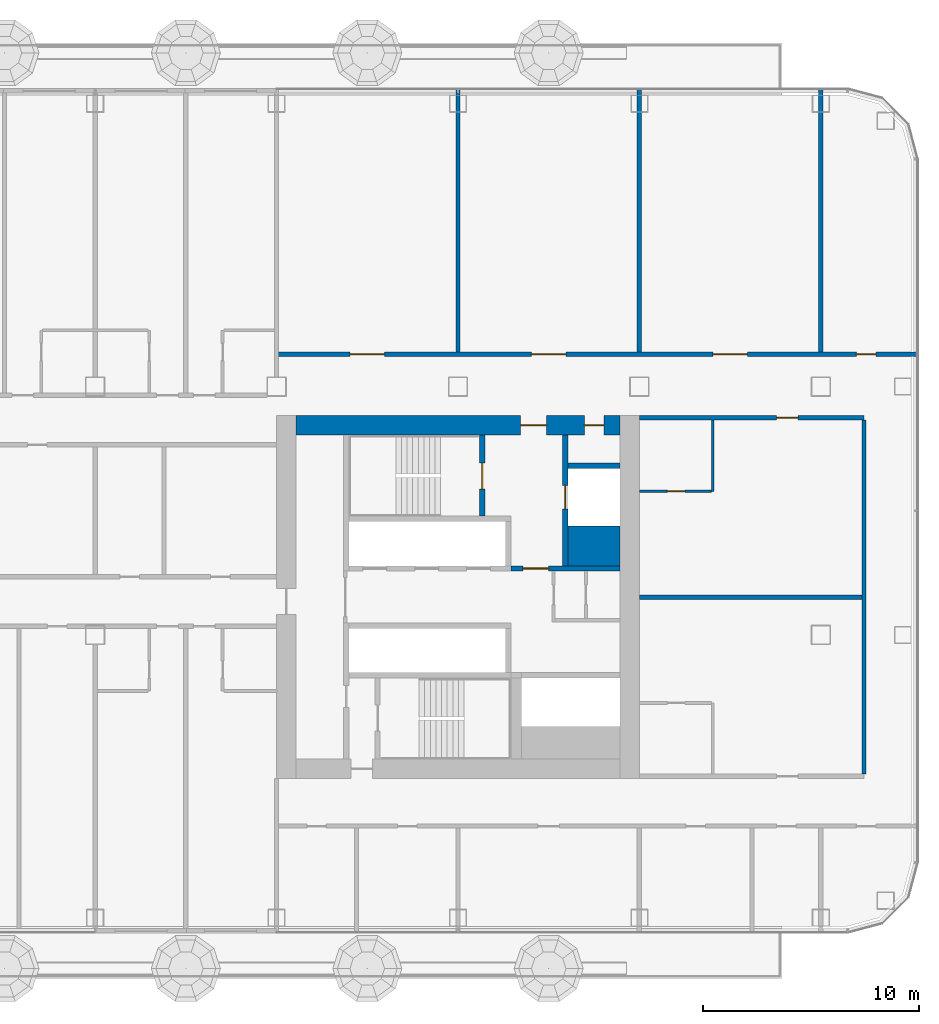
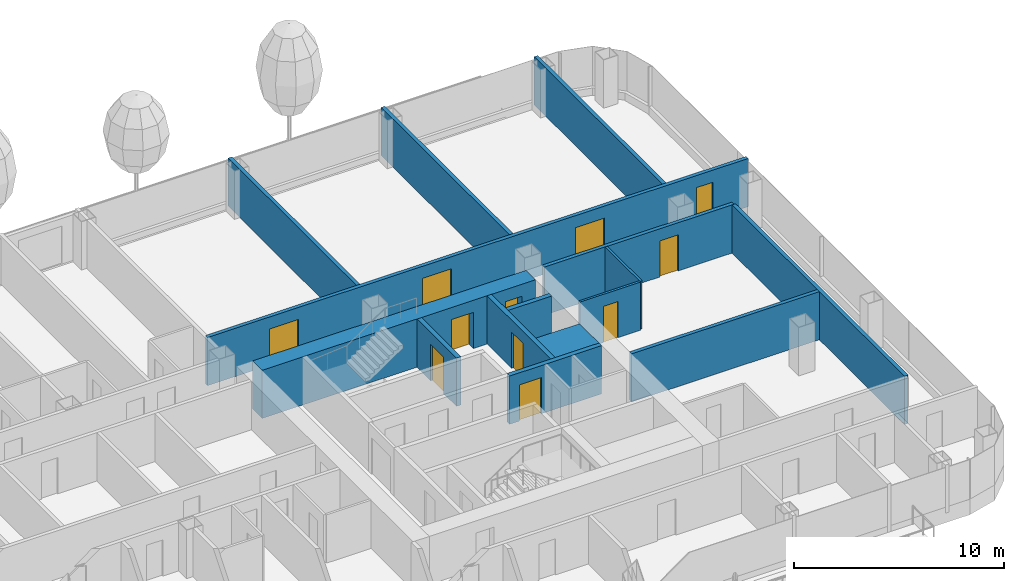
# One storey, part 19 of 34: 15 walls, 11 doors, 11 openings.
"""IFC4 building model written with IfcOpenShell, lengths in metres."""

from ifc_helpers import new_model, si_unit, direction, frame, frame_2d, origin, place, context, subcontext, project, spatial, rectangle, extrude, material, layer, layer_set, type_object, element, fill, save


model = new_model("IFC4")

# Units and contexts
model_context = context("Model", 3, precision=1e-05, world=origin(), true_north=direction((0.0, 1.0)))
body_context = subcontext(model_context, "Body", "Model", "MODEL_VIEW")
ifc_project = project(units=[si_unit("LENGTHUNIT", "METRE"), si_unit("AREAUNIT", "SQUARE_METRE"), si_unit("VOLUMEUNIT", "CUBIC_METRE"), si_unit("PLANEANGLEUNIT", "RADIAN"), si_unit("MASSUNIT", "GRAM", prefix="KILO")], contexts=[model_context])

# Site, building, storey
site_placement = place(None, origin())
site = spatial("IfcSite", under=ifc_project, at=site_placement, CompositionType="ELEMENT")
building_placement = place(site_placement, origin())
building = spatial("IfcBuilding", under=site, at=building_placement, Name="Hakoniwa Tower and Hamabe Station Hall", CompositionType="ELEMENT")
storey_placement = place(building_placement, frame((0.0, 0.0, 94.60009765625)))
storey = spatial("IfcBuildingStorey", under=building, at=storey_placement, Name="L26", CompositionType="ELEMENT", Elevation=94.60009765625)

# Wall, opening, door
ifc_material_1 = material(Name="Gypsum board partition", Category="gypsum")
ifc_layer_1 = layer(ifc_material_1, 0.125)
ifc_layer_set_1 = layer_set([ifc_layer_1], Name="Bathroom Partition 125")
wall_type_1 = type_object("IfcWallType", Name="Bathroom Partition 125", PredefinedType="PARTITIONING", material=ifc_layer_set_1)
wall_1_placement = place(storey_placement, frame((33.60009765625, 4.89990234375, 0.0), z_axis=(0.0, 0.0, 1.0), x_axis=(1.0, 0.0, 0.0)))
wall_1 = element("IfcWall", 1, at=wall_1_placement, inside=storey, type_object=wall_type_1, Name="GW-L26-016", PredefinedType="PARTITIONING", context=body_context, shape_type="SweptSolid", body=[
    extrude(rectangle(XDim=3.33740234375, YDim=0.125, at=frame_2d((1.668701171875, 0.0))), origin(), (0.0, 0.0, 1.0), 2.7998046875),
])
opening_1_placement = place(wall_1_placement, frame((1.300048828125, 0.0, 0.0)))
opening_1 = element("IfcOpeningElement", 2, at=opening_1_placement, cuts=wall_1, Name="Opening GD-G2B1-29", PredefinedType="OPENING", context=body_context, shape_type="SweptSolid", body=[
    extrude(rectangle(XDim=0.800048828125, YDim=2.10009765625, at=frame_2d((0.39990234375, 1.050048828125))), frame((0.0, 0.072509765625, 0.0), z_axis=(0.0, -1.0, 0.0), x_axis=(1.0, 0.0, 0.0)), (0.0, 0.0, 1.0), 0.14501953125),
])
ifc_material_2 = material(Name="Timber door leaf", Category="wood")
door_type_1 = type_object("IfcDoorType", Name="Bathroom Door 800", OperationType="SINGLE_SWING_LEFT", PredefinedType="DOOR", material=ifc_material_2)
door_1_placement = place(opening_1_placement, origin())
door_1 = element("IfcDoor", 3, at=door_1_placement, inside=storey, type_object=door_type_1, Name="Door GD-G2B1-29", OperationType="SINGLE_SWING_LEFT", OverallHeight=2.10009765625, OverallWidth=0.800048828125, PredefinedType="DOOR", context=body_context, shape_type="SweptSolid", body=[
    extrude(rectangle(XDim=0.800048828125, YDim=2.10009765625, at=frame_2d((0.39990234375, 1.050048828125))), frame((0.0, 0.02490234375, 0.0), z_axis=(0.0, -1.0, 0.0), x_axis=(1.0, 0.0, 0.0)), (0.0, 0.0, 1.0), 0.050048828125),
])
fill(opening_1, door_1)

# Wall
wall_2_placement = place(storey_placement, frame((37.0, 4.89990234375, 0.0), z_axis=(0.0, 0.0, 1.0), x_axis=(0.0, 1.0, 0.0)))
element("IfcWall", 4, at=wall_2_placement, inside=storey, type_object=wall_type_1, Name="GW-L26-091", PredefinedType="PARTITIONING", context=body_context, shape_type="SweptSolid", body=[
    extrude(rectangle(XDim=3.300048828125, YDim=0.125, at=frame_2d((1.64990234375, 0.0))), origin(), (0.0, 0.0, 1.0), 2.7998046875),
])

# Wall, openings, doors
ifc_material_3 = material(Name="Concrete C72", Category="concrete")
ifc_layer_2 = layer(ifc_material_3, 0.89990234375)
ifc_layer_set_2 = layer_set([ifc_layer_2], Name="CORE WALL 900 C72")
wall_type_2 = type_object("IfcWallType", Name="CORE WALL 900 C72", PredefinedType="SHEAR", material=ifc_layer_set_2)
wall_3_placement = place(storey_placement, frame((17.699951171875, 7.949951171875, 0.0), z_axis=(0.0, 0.0, 1.0), x_axis=(1.0, 0.0, 0.0)))
wall_3 = element("IfcWall", 5, at=wall_3_placement, inside=storey, type_object=wall_type_2, Name="Core wall NORTH east", PredefinedType="SHEAR", context=body_context, shape_type="SweptSolid", body=[
    extrude(rectangle(XDim=15.0, YDim=0.89990234375, at=frame_2d((7.5, 0.0))), origin(), (0.0, 0.0, 1.0), 2.7998046875),
])
opening_2_placement = place(wall_3_placement, frame((10.39990234375, 0.0, 0.0)))
opening_2 = element("IfcOpeningElement", 6, at=opening_2_placement, cuts=wall_3, Name="Opening CD-E-FN1-12", PredefinedType="OPENING", context=body_context, shape_type="SweptSolid", body=[
    extrude(rectangle(XDim=1.199951171875, YDim=2.10009765625, at=frame_2d((0.60009765625, 1.050048828125))), frame((0.0, 0.4599609375, 0.0), z_axis=(0.0, -1.0, 0.0), x_axis=(1.0, 0.0, 0.0)), (0.0, 0.0, 1.0), 0.919921875),
])
opening_3_placement = place(wall_3_placement, frame((13.35009765625, 0.0, 0.0)))
opening_3 = element("IfcOpeningElement", 7, at=opening_3_placement, cuts=wall_3, Name="Opening CD-E-FN2-9", PredefinedType="OPENING", context=body_context, shape_type="SweptSolid", body=[
    extrude(rectangle(XDim=0.89990234375, YDim=2.10009765625, at=frame_2d((0.449951171875, 1.050048828125))), frame((0.0, 0.4599609375, 0.0), z_axis=(0.0, -1.0, 0.0), x_axis=(1.0, 0.0, 0.0)), (0.0, 0.0, 1.0), 0.919921875),
])
ifc_material_4 = material(Name="Steel fire door", Category="steel")
door_type_2 = type_object("IfcDoorType", Name="CORE DOOR 1200 FD60", OperationType="DOUBLE_DOOR_SINGLE_SWING", PredefinedType="DOOR", material=ifc_material_4)
door_2_placement = place(opening_2_placement, origin())
door_2 = element("IfcDoor", 8, at=door_2_placement, inside=storey, type_object=door_type_2, Name="Stair vestibule door to the fire-fighting lobby", OperationType="DOUBLE_DOOR_SINGLE_SWING", OverallHeight=2.10009765625, OverallWidth=1.199951171875, PredefinedType="DOOR", context=body_context, shape_type="SweptSolid", body=[
    extrude(rectangle(XDim=1.199951171875, YDim=2.10009765625, at=frame_2d((0.60009765625, 1.050048828125))), frame((0.0, 0.02490234375, 0.0), z_axis=(0.0, -1.0, 0.0), x_axis=(1.0, 0.0, 0.0)), (0.0, 0.0, 1.0), 0.050048828125),
])
fill(opening_2, door_2)
ifc_material_5 = material(Name="Steel fire door", Category="steel")
door_type_3 = type_object("IfcDoorType", Name="CORE DOOR 900 FD30", OperationType="NOTDEFINED", PredefinedType="DOOR", material=ifc_material_5)
door_3_placement = place(opening_3_placement, origin())
door_3 = element("IfcDoor", 9, at=door_3_placement, inside=storey, type_object=door_type_3, Name="Riser access door", OperationType="SINGLE_SWING_LEFT", OverallHeight=2.10009765625, OverallWidth=0.89990234375, PredefinedType="DOOR", context=body_context, shape_type="SweptSolid", body=[
    extrude(rectangle(XDim=0.89990234375, YDim=2.10009765625, at=frame_2d((0.449951171875, 1.050048828125))), frame((0.0, 0.02490234375, 0.0), z_axis=(0.0, -1.0, 0.0), x_axis=(1.0, 0.0, 0.0)), (0.0, 0.0, 1.0), 0.050048828125),
])
fill(opening_3, door_3)

# Wall
ifc_material_6 = material(Name="Concrete C72", Category="concrete")
ifc_layer_3 = layer(ifc_material_6, 1.85009765625)
ifc_layer_set_3 = layer_set([ifc_layer_3], Name="CORE WEB WALL 1850 C72")
wall_type_3 = type_object("IfcWallType", Name="CORE WEB WALL 1850 C72", PredefinedType="SHEAR", material=ifc_layer_set_3)
wall_4_placement = place(storey_placement, frame((30.300048828125, 2.375, 0.0), z_axis=(0.0, 0.0, 1.0), x_axis=(1.0, 0.0, 0.0)))
element("IfcWall", 10, at=wall_4_placement, inside=storey, type_object=wall_type_3, Name="Core wall CA east", PredefinedType="SHEAR", context=body_context, shape_type="SweptSolid", body=[
    extrude(rectangle(XDim=2.39990234375, YDim=1.85009765625, at=frame_2d((1.199951171875, 0.0))), origin(), (0.0, 0.0, 1.0), 2.7998046875),
])

# Wall, opening, door
ifc_material_7 = material(Name="Concrete C72", Category="concrete")
ifc_layer_4 = layer(ifc_material_7, 0.25)
ifc_layer_set_4 = layer_set([ifc_layer_4], Name="CORE WEB WALL 250 C72")
wall_type_4 = type_object("IfcWallType", Name="CORE WEB WALL 250 C72", PredefinedType="SHEAR", material=ifc_layer_set_4)
wall_5_placement = place(storey_placement, frame((26.324951171875, 3.75, 0.0), z_axis=(0.0, 0.0, 1.0), x_axis=(0.0, 1.0, 0.0)))
wall_5 = element("IfcWall", 11, at=wall_5_placement, inside=storey, type_object=wall_type_4, Name="Core wall NSE east", PredefinedType="SHEAR", context=body_context, shape_type="SweptSolid", body=[
    extrude(rectangle(XDim=3.75, YDim=0.25, at=frame_2d((1.875, 0.0))), origin(), (0.0, 0.0, 1.0), 2.7998046875),
])
opening_4_placement = place(wall_5_placement, frame((1.25, 0.0, 0.0)))
opening_4 = element("IfcOpeningElement", 12, at=opening_4_placement, cuts=wall_5, Name="Opening CD-E-SN-12", PredefinedType="OPENING", context=body_context, shape_type="SweptSolid", body=[
    extrude(rectangle(XDim=1.199951171875, YDim=2.10009765625, at=frame_2d((0.60009765625, 1.050048828125))), frame((0.0, 0.135009765625, 0.0), z_axis=(0.0, -1.0, 0.0), x_axis=(1.0, 0.0, 0.0)), (0.0, 0.0, 1.0), 0.27001953125),
])
door_4_placement = place(opening_4_placement, origin())
door_4 = element("IfcDoor", 13, at=door_4_placement, inside=storey, type_object=door_type_2, Name="Escape stair door", OperationType="DOUBLE_DOOR_SINGLE_SWING", OverallHeight=2.10009765625, OverallWidth=1.199951171875, PredefinedType="DOOR", context=body_context, shape_type="SweptSolid", body=[
    extrude(rectangle(XDim=1.199951171875, YDim=2.10009765625, at=frame_2d((0.60009765625, 1.050048828125))), frame((0.0, 0.02490234375, 0.0), z_axis=(0.0, -1.0, 0.0), x_axis=(1.0, 0.0, 0.0)), (0.0, 0.0, 1.0), 0.050048828125),
])
fill(opening_4, door_4)

wall_6_placement = place(storey_placement, frame((27.64990234375, 1.324951171875, 0.0), z_axis=(0.0, 0.0, 1.0), x_axis=(1.0, 0.0, 0.0)))
wall_6 = element("IfcWall", 14, at=wall_6_placement, inside=storey, type_object=wall_type_4, Name="Core wall ELN east", PredefinedType="SHEAR", context=body_context, shape_type="SweptSolid", body=[
    extrude(rectangle(XDim=5.050048828125, YDim=0.25, at=frame_2d((2.52490234375, 0.0))), origin(), (0.0, 0.0, 1.0), 2.7998046875),
])
opening_5_placement = place(wall_6_placement, frame((0.550048828125, 0.0, 0.0)))
opening_5 = element("IfcOpeningElement", 15, at=opening_5_placement, cuts=wall_6, Name="Opening CD-E-FL-12", PredefinedType="OPENING", context=body_context, shape_type="SweptSolid", body=[
    extrude(rectangle(XDim=1.199951171875, YDim=2.10009765625, at=frame_2d((0.60009765625, 1.050048828125))), frame((0.0, 0.135009765625, 0.0), z_axis=(0.0, -1.0, 0.0), x_axis=(1.0, 0.0, 0.0)), (0.0, 0.0, 1.0), 0.27001953125),
])
door_5_placement = place(opening_5_placement, origin())
door_5 = element("IfcDoor", 16, at=door_5_placement, inside=storey, type_object=door_type_2, Name="Stair vestibule door to the fire-fighting lobby", OperationType="DOUBLE_DOOR_SINGLE_SWING", OverallHeight=2.10009765625, OverallWidth=1.199951171875, PredefinedType="DOOR", context=body_context, shape_type="SweptSolid", body=[
    extrude(rectangle(XDim=1.199951171875, YDim=2.10009765625, at=frame_2d((0.60009765625, 1.050048828125))), frame((0.0, 0.02490234375, 0.0), z_axis=(0.0, -1.0, 0.0), x_axis=(1.0, 0.0, 0.0)), (0.0, 0.0, 1.0), 0.050048828125),
])
fill(opening_5, door_5)

wall_7_placement = place(storey_placement, frame((30.175048828125, 1.449951171875, 0.0), z_axis=(0.0, 0.0, 1.0), x_axis=(0.0, 1.0, 0.0)))
wall_7 = element("IfcWall", 17, at=wall_7_placement, inside=storey, type_object=wall_type_4, Name="Core wall FFF east", PredefinedType="SHEAR", context=body_context, shape_type="SweptSolid", body=[
    extrude(rectangle(XDim=6.050048828125, YDim=0.25, at=frame_2d((3.02490234375, 0.0))), origin(), (0.0, 0.0, 1.0), 2.7998046875),
])
opening_6_placement = place(wall_7_placement, frame((2.625, 0.0, 0.0)))
opening_6 = element("IfcOpeningElement", 18, at=opening_6_placement, cuts=wall_7, Name="Opening LD-FF2", PredefinedType="OPENING", context=body_context, shape_type="SweptSolid", body=[
    extrude(rectangle(XDim=1.10009765625, YDim=2.10009765625, at=frame_2d((0.550048828125, 1.050048828125))), frame((0.0, 0.135009765625, 0.0), z_axis=(0.0, -1.0, 0.0), x_axis=(1.0, 0.0, 0.0)), (0.0, 0.0, 1.0), 0.27001953125),
])
ifc_material_8 = material(Name="Stainless steel SUS304", Category="steel")
door_type_4 = type_object("IfcDoorType", Name="LIFT LANDING DOOR 1100 FD60", OperationType="DOUBLE_DOOR_SLIDING", PredefinedType="DOOR", material=ifc_material_8)
door_6_placement = place(opening_6_placement, origin())
door_6 = element("IfcDoor", 19, at=door_6_placement, inside=storey, type_object=door_type_4, Name="Lift landing door FF2 L26", OperationType="DOUBLE_DOOR_SLIDING", OverallHeight=2.10009765625, OverallWidth=1.10009765625, PredefinedType="DOOR", context=body_context, shape_type="SweptSolid", body=[
    extrude(rectangle(XDim=1.10009765625, YDim=2.10009765625, at=frame_2d((0.550048828125, 1.050048828125))), frame((0.0, 0.02490234375, 0.0), z_axis=(0.0, -1.0, 0.0), x_axis=(1.0, 0.0, 0.0)), (0.0, 0.0, 1.0), 0.050048828125),
])
fill(opening_6, door_6)

# Wall
wall_8_placement = place(storey_placement, frame((30.300048828125, 6.074951171875, 0.0), z_axis=(0.0, 0.0, 1.0), x_axis=(1.0, 0.0, 0.0)))
element("IfcWall", 20, at=wall_8_placement, inside=storey, type_object=wall_type_4, Name="Core wall C2 east", PredefinedType="SHEAR", context=body_context, shape_type="SweptSolid", body=[
    extrude(rectangle(XDim=2.39990234375, YDim=0.25, at=frame_2d((1.199951171875, 0.0))), origin(), (0.0, 0.0, 1.0), 2.7998046875),
])

# Wall, opening, door
ifc_material_9 = material(Name="Fire-rated gypsum board partition", Category="gypsum")
ifc_layer_5 = layer(ifc_material_9, 0.199951171875)
ifc_layer_set_5 = layer_set([ifc_layer_5], Name="Corridor Wall 200")
wall_type_5 = type_object("IfcWallType", Name="Corridor Wall 200", PredefinedType="PARTITIONING", material=ifc_layer_set_5)
wall_9_placement = place(storey_placement, frame((33.60009765625, 8.300048828125, 0.0), z_axis=(0.0, 0.0, 1.0), x_axis=(1.0, 0.0, 0.0)))
wall_9 = element("IfcWall", 21, at=wall_9_placement, inside=storey, type_object=wall_type_5, Name="GW-L26-020", PredefinedType="PARTITIONING", context=body_context, shape_type="SweptSolid", body=[
    extrude(rectangle(XDim=10.39990234375, YDim=0.199951171875, at=frame_2d((5.199951171875, 0.0))), origin(), (0.0, 0.0, 1.0), 2.7998046875),
])
opening_7_placement = place(wall_9_placement, frame((6.35009765625, 0.0, 0.0)))
opening_7 = element("IfcOpeningElement", 22, at=opening_7_placement, cuts=wall_9, Name="Opening GD-G2B1-36", PredefinedType="OPENING", context=body_context, shape_type="SweptSolid", body=[
    extrude(rectangle(XDim=1.0, YDim=2.10009765625, at=frame_2d((0.5, 1.050048828125))), frame((0.0, 0.10986328125, 0.0), z_axis=(0.0, -1.0, 0.0), x_axis=(1.0, 0.0, 0.0)), (0.0, 0.0, 1.0), 0.219970703125),
])
ifc_material_10 = material(Name="Timber door leaf", Category="wood")
door_type_5 = type_object("IfcDoorType", Name="Guest Entrance Door 1000", OperationType="SINGLE_SWING_LEFT", PredefinedType="DOOR", material=ifc_material_10)
door_7_placement = place(opening_7_placement, origin())
door_7 = element("IfcDoor", 23, at=door_7_placement, inside=storey, type_object=door_type_5, Name="Door GD-G2B1-36", OperationType="SINGLE_SWING_RIGHT", OverallHeight=2.10009765625, OverallWidth=1.0, PredefinedType="DOOR", context=body_context, shape_type="SweptSolid", body=[
    extrude(rectangle(XDim=1.0, YDim=2.10009765625, at=frame_2d((0.5, 1.050048828125))), frame((0.0, 0.02490234375, 0.0), z_axis=(0.0, -1.0, 0.0), x_axis=(1.0, 0.0, 0.0)), (0.0, 0.0, 1.0), 0.050048828125),
])
fill(opening_7, door_7)

# Wall, openings, doors
wall_10_placement = place(storey_placement, frame((16.800048828125, 11.25, 0.0), z_axis=(0.0, 0.0, 1.0), x_axis=(1.0, 0.0, 0.0)))
wall_10 = element("IfcWall", 24, at=wall_10_placement, inside=storey, type_object=wall_type_5, Name="GW-L26-023", PredefinedType="PARTITIONING", context=body_context, shape_type="SweptSolid", body=[
    extrude(rectangle(XDim=29.699951171875, YDim=0.199951171875, at=frame_2d((14.85009765625, 0.0))), origin(), (0.0, 0.0, 1.0), 2.7998046875),
])
opening_8_placement = place(wall_10_placement, frame((3.39990234375, 0.0, 0.0)))
opening_8 = element("IfcOpeningElement", 25, at=opening_8_placement, cuts=wall_10, Name="Opening GD-G2B1-51", PredefinedType="OPENING", context=body_context, shape_type="SweptSolid", body=[
    extrude(rectangle(XDim=1.60009765625, YDim=2.10009765625, at=frame_2d((0.800048828125, 1.050048828125))), frame((0.0, 0.10986328125, 0.0), z_axis=(0.0, -1.0, 0.0), x_axis=(1.0, 0.0, 0.0)), (0.0, 0.0, 1.0), 0.219970703125),
])
opening_9_placement = place(wall_10_placement, frame((11.800048828125, 0.0, 0.0)))
opening_9 = element("IfcOpeningElement", 26, at=opening_9_placement, cuts=wall_10, Name="Opening GD-G2B1-52", PredefinedType="OPENING", context=body_context, shape_type="SweptSolid", body=[
    extrude(rectangle(XDim=1.60009765625, YDim=2.10009765625, at=frame_2d((0.800048828125, 1.050048828125))), frame((0.0, 0.10986328125, 0.0), z_axis=(0.0, -1.0, 0.0), x_axis=(1.0, 0.0, 0.0)), (0.0, 0.0, 1.0), 0.219970703125),
])
opening_10_placement = place(wall_10_placement, frame((20.199951171875, 0.0, 0.0)))
opening_10 = element("IfcOpeningElement", 27, at=opening_10_placement, cuts=wall_10, Name="Opening GD-G2B1-53", PredefinedType="OPENING", context=body_context, shape_type="SweptSolid", body=[
    extrude(rectangle(XDim=1.60009765625, YDim=2.10009765625, at=frame_2d((0.800048828125, 1.050048828125))), frame((0.0, 0.10986328125, 0.0), z_axis=(0.0, -1.0, 0.0), x_axis=(1.0, 0.0, 0.0)), (0.0, 0.0, 1.0), 0.219970703125),
])
opening_11_placement = place(wall_10_placement, frame((26.85009765625, 0.0, 0.0)))
opening_11 = element("IfcOpeningElement", 28, at=opening_11_placement, cuts=wall_10, Name="Opening GD-G2B1-54", PredefinedType="OPENING", context=body_context, shape_type="SweptSolid", body=[
    extrude(rectangle(XDim=0.89990234375, YDim=2.10009765625, at=frame_2d((0.449951171875, 1.050048828125))), frame((0.0, 0.10986328125, 0.0), z_axis=(0.0, -1.0, 0.0), x_axis=(1.0, 0.0, 0.0)), (0.0, 0.0, 1.0), 0.219970703125),
])
ifc_material_11 = material(Name="Timber door leaf", Category="wood")
door_type_6 = type_object("IfcDoorType", Name="Double Door 1600", OperationType="DOUBLE_DOOR_SINGLE_SWING", PredefinedType="DOOR", material=ifc_material_11)
door_8_placement = place(opening_8_placement, origin())
door_8 = element("IfcDoor", 29, at=door_8_placement, inside=storey, type_object=door_type_6, Name="Door GD-G2B1-51", OperationType="DOUBLE_DOOR_SINGLE_SWING", OverallHeight=2.10009765625, OverallWidth=1.60009765625, PredefinedType="DOOR", context=body_context, shape_type="SweptSolid", body=[
    extrude(rectangle(XDim=1.60009765625, YDim=2.10009765625, at=frame_2d((0.800048828125, 1.050048828125))), frame((0.0, 0.02490234375, 0.0), z_axis=(0.0, -1.0, 0.0), x_axis=(1.0, 0.0, 0.0)), (0.0, 0.0, 1.0), 0.050048828125),
])
fill(opening_8, door_8)
door_9_placement = place(opening_9_placement, origin())
door_9 = element("IfcDoor", 30, at=door_9_placement, inside=storey, type_object=door_type_6, Name="Door GD-G2B1-52", OperationType="DOUBLE_DOOR_SINGLE_SWING", OverallHeight=2.10009765625, OverallWidth=1.60009765625, PredefinedType="DOOR", context=body_context, shape_type="SweptSolid", body=[
    extrude(rectangle(XDim=1.60009765625, YDim=2.10009765625, at=frame_2d((0.800048828125, 1.050048828125))), frame((0.0, 0.02490234375, 0.0), z_axis=(0.0, -1.0, 0.0), x_axis=(1.0, 0.0, 0.0)), (0.0, 0.0, 1.0), 0.050048828125),
])
fill(opening_9, door_9)
door_10_placement = place(opening_10_placement, origin())
door_10 = element("IfcDoor", 31, at=door_10_placement, inside=storey, type_object=door_type_6, Name="Door GD-G2B1-53", OperationType="DOUBLE_DOOR_SINGLE_SWING", OverallHeight=2.10009765625, OverallWidth=1.60009765625, PredefinedType="DOOR", context=body_context, shape_type="SweptSolid", body=[
    extrude(rectangle(XDim=1.60009765625, YDim=2.10009765625, at=frame_2d((0.800048828125, 1.050048828125))), frame((0.0, 0.02490234375, 0.0), z_axis=(0.0, -1.0, 0.0), x_axis=(1.0, 0.0, 0.0)), (0.0, 0.0, 1.0), 0.050048828125),
])
fill(opening_10, door_10)
ifc_material_12 = material(Name="Timber door leaf", Category="wood")
door_type_7 = type_object("IfcDoorType", Name="Service Door 900", OperationType="SINGLE_SWING_LEFT", PredefinedType="DOOR", material=ifc_material_12)
door_11_placement = place(opening_11_placement, origin())
door_11 = element("IfcDoor", 32, at=door_11_placement, inside=storey, type_object=door_type_7, Name="Door GD-G2B1-54", OperationType="SINGLE_SWING_RIGHT", OverallHeight=2.10009765625, OverallWidth=0.89990234375, PredefinedType="DOOR", context=body_context, shape_type="SweptSolid", body=[
    extrude(rectangle(XDim=0.89990234375, YDim=2.10009765625, at=frame_2d((0.449951171875, 1.050048828125))), frame((0.0, 0.02490234375, 0.0), z_axis=(0.0, -1.0, 0.0), x_axis=(1.0, 0.0, 0.0)), (0.0, 0.0, 1.0), 0.050048828125),
])
fill(opening_11, door_11)

# Walls
ifc_material_13 = material(Name="Fire-rated gypsum board partition", Category="gypsum")
ifc_layer_6 = layer(ifc_material_13, 0.199951171875)
ifc_layer_set_6 = layer_set([ifc_layer_6], Name="Party Wall 200")
wall_type_6 = type_object("IfcWallType", Name="Party Wall 200", PredefinedType="PARTITIONING", material=ifc_layer_set_6)
wall_11_placement = place(storey_placement, frame((33.60009765625, 0.0, 0.0), z_axis=(0.0, 0.0, 1.0), x_axis=(1.0, 0.0, 0.0)))
element("IfcWall", 33, at=wall_11_placement, inside=storey, type_object=wall_type_6, Name="GW-L26-014", PredefinedType="PARTITIONING", context=body_context, shape_type="SweptSolid", body=[
    extrude(rectangle(XDim=10.2998046875, YDim=0.199951171875, at=frame_2d((5.14990234375, 0.0))), origin(), (0.0, 0.0, 1.0), 2.7998046875),
])
for number, where, z_axis, x_axis, name in (
    (34, (25.199951171875, 11.35009765625, 0.0), (0.0, 0.0, 1.0), (0.0, 1.0, 0.0), "GW-L26-087"),
    (35, (33.60009765625, 11.35009765625, 0.0), (0.0, 0.0, 1.0), (0.0, 1.0, 0.0), "GW-L26-089"),
    (36, (42.0, 11.35009765625, 0.0), (0.0, 0.0, 1.0), (0.0, 1.0, 0.0), "GW-L26-094"),
):
    element("IfcWall", number, at=place(storey_placement, frame(where, z_axis=z_axis, x_axis=x_axis)), inside=storey, type_object=wall_type_6, Name=name, PredefinedType="PARTITIONING", context=body_context, shape_type="SweptSolid", body=[
        extrude(rectangle(XDim=12.199951171875, YDim=0.199951171875, at=frame_2d((6.10009765625, 0.0))), origin(), (0.0, 0.0, 1.0), 2.7998046875),
    ])
wall_12_placement = place(storey_placement, frame((44.0, -8.199951171875, 0.0), z_axis=(0.0, 0.0, 1.0), x_axis=(0.0, 1.0, 0.0)))
element("IfcWall", 37, at=wall_12_placement, inside=storey, type_object=wall_type_6, Name="GW-L26-095", PredefinedType="PARTITIONING", context=body_context, shape_type="SweptSolid", body=[
    extrude(rectangle(XDim=16.39990234375, YDim=0.199951171875, at=frame_2d((8.199951171875, 0.0))), origin(), (0.0, 0.0, 1.0), 2.7998046875),
])

save(model, "model.ifc")
